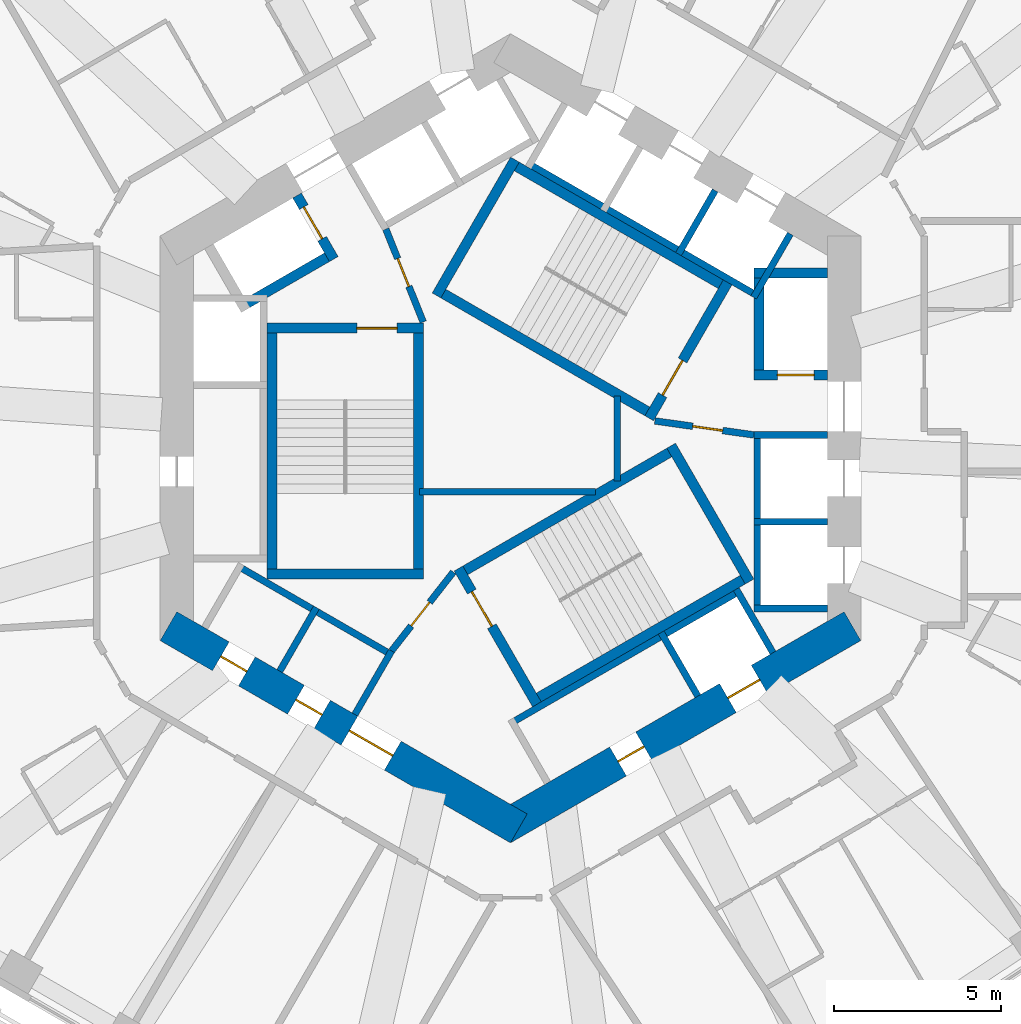
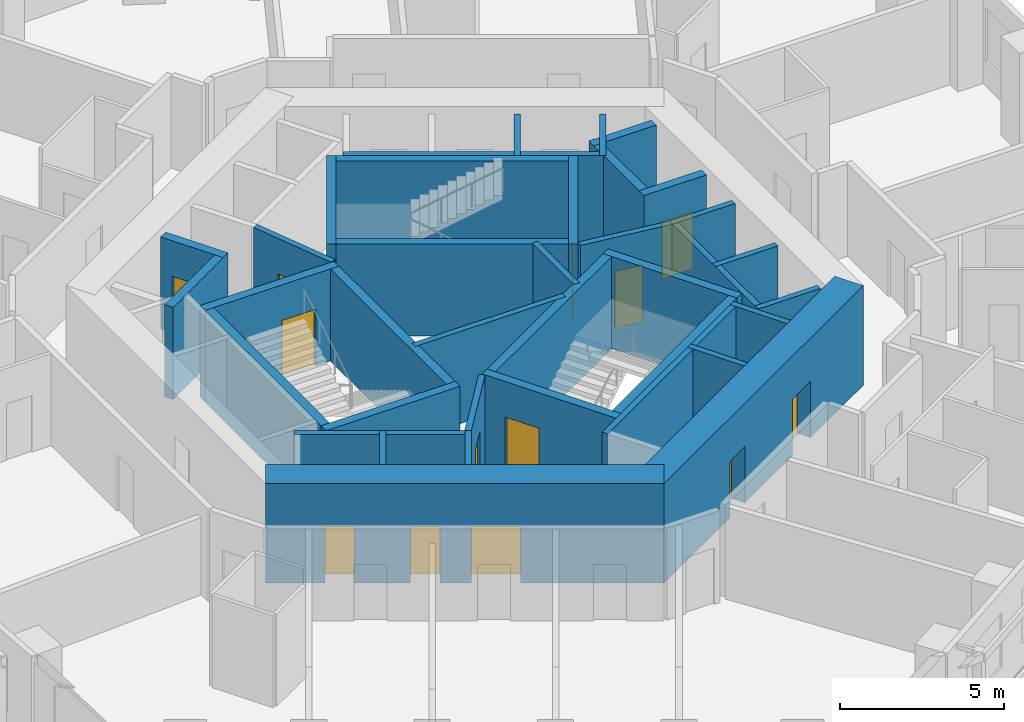
# One storey, part 5 of 11: 37 walls, 13 doors, 13 openings.
"""IFC4 building model written with IfcOpenShell, lengths in metres."""

from ifc_helpers import new_model, si_unit, direction, frame, frame_2d, origin, place, context, subcontext, project, spatial, rectangle, extrude, material, layer, layer_set, type_object, element, fill, save


model = new_model("IFC4")

# Units and contexts
model_context = context("Model", 3, precision=1e-05, world=origin(), true_north=direction((0.0, 1.0)))
body_context = subcontext(model_context, "Body", "Model", "MODEL_VIEW")
ifc_project = project(units=[si_unit("LENGTHUNIT", "METRE"), si_unit("AREAUNIT", "SQUARE_METRE"), si_unit("VOLUMEUNIT", "CUBIC_METRE"), si_unit("PLANEANGLEUNIT", "RADIAN"), si_unit("MASSUNIT", "GRAM", prefix="KILO")], contexts=[model_context])

# Site, building, storey
site_placement = place(None, origin())
site = spatial("IfcSite", under=ifc_project, at=site_placement, CompositionType="ELEMENT")
building_placement = place(site_placement, origin())
building = spatial("IfcBuilding", under=site, at=building_placement, Name="Vanh Sen Convention Tower", CompositionType="ELEMENT")
storey_placement = place(building_placement, frame((0.0, 0.0, 128.10009765625)))
storey = spatial("IfcBuildingStorey", under=building, at=storey_placement, Name="L31", CompositionType="ELEMENT", Elevation=128.10009765625)

# Wall, openings, doors
ifc_material_1 = material(Name="Concrete C80/95", Category="concrete")
ifc_layer_1 = layer(ifc_material_1, 1.0)
ifc_layer_set_1 = layer_set([ifc_layer_1], Name="Concrete C80/95")
wall_type_1 = type_object("IfcWallType", Name="Core outer wall 1000 C80/95", PredefinedType="SHEAR", material=ifc_layer_set_1)
wall_1_placement = place(storey_placement, frame((-10.25, -5.629150390625, 0.0), z_axis=(0.0, 0.0, 1.0), x_axis=(0.866022616891, -0.50000482701, 0.0)))
wall_1 = element("IfcWall", 1, at=wall_1_placement, inside=storey, type_object=wall_type_1, Name="Core wall face SW L31", PredefinedType="SHEAR", context=body_context, shape_type="SweptSolid", body=[
    extrude(rectangle(XDim=12.12451171875, YDim=1.0, at=frame_2d((6.062255859375, 0.0))), origin(), (0.0, 0.0, 1.0), 3.699951171875),
])
opening_1_placement = place(wall_1_placement, frame((6.26220703125, 0.0, 0.0)))
opening_1 = element("IfcOpeningElement", 2, at=opening_1_placement, cuts=wall_1, Name="Opening D30003", PredefinedType="OPENING", context=body_context, shape_type="SweptSolid", body=[
    extrude(rectangle(XDim=1.5, YDim=2.10009765625, at=frame_2d((0.75, 1.050048828125))), frame((0.0, 0.510009765625, 0.0), z_axis=(0.0, -1.0, 0.0), x_axis=(1.0, 0.0, 0.0)), (0.0, 0.0, 1.0), 1.02001953125),
])
opening_2_placement = place(wall_1_placement, frame((1.812255859375, 0.0, 0.0)))
opening_2 = element("IfcOpeningElement", 3, at=opening_2_placement, cuts=wall_1, Name="Opening D30011", PredefinedType="OPENING", context=body_context, shape_type="SweptSolid", body=[
    extrude(rectangle(XDim=0.89990234375, YDim=2.10009765625, at=frame_2d((0.449951171875, 1.050048828125))), frame((0.0, 0.510009765625, 0.0), z_axis=(0.0, -1.0, 0.0), x_axis=(1.0, 0.0, 0.0)), (0.0, 0.0, 1.0), 1.02001953125),
])
opening_3_placement = place(wall_1_placement, frame((4.412109375, 0.0, 0.0)))
opening_3 = element("IfcOpeningElement", 4, at=opening_3_placement, cuts=wall_1, Name="Opening D30012", PredefinedType="OPENING", context=body_context, shape_type="SweptSolid", body=[
    extrude(rectangle(XDim=0.89990234375, YDim=2.10009765625, at=frame_2d((0.449951171875, 1.050048828125))), frame((0.0, 0.510009765625, 0.0), z_axis=(0.0, -1.0, 0.0), x_axis=(1.0, 0.0, 0.0)), (0.0, 0.0, 1.0), 1.02001953125),
])
ifc_material_2 = material(Name="Steel S355", Category="steel")
door_type_1 = type_object("IfcDoorType", Name="Plant door 900", OperationType="SINGLE_SWING_LEFT", PredefinedType="DOOR", material=ifc_material_2)
door_1_placement = place(opening_2_placement, origin())
door_1 = element("IfcDoor", 5, at=door_1_placement, inside=storey, type_object=door_type_1, Name="Plant door D30011", OperationType="SINGLE_SWING_LEFT", OverallHeight=2.10009765625, OverallWidth=0.89990234375, PredefinedType="DOOR", context=body_context, shape_type="SweptSolid", body=[
    extrude(rectangle(XDim=0.89990234375, YDim=2.10009765625, at=frame_2d((0.449951171875, 1.050048828125))), frame((0.0, 0.02490234375, 0.0), z_axis=(0.0, -1.0, 0.0), x_axis=(1.0, 0.0, 0.0)), (0.0, 0.0, 1.0), 0.050048828125),
])
fill(opening_2, door_1)
door_2_placement = place(opening_3_placement, origin())
door_2 = element("IfcDoor", 6, at=door_2_placement, inside=storey, type_object=door_type_1, Name="Plant door D30012", OperationType="SINGLE_SWING_LEFT", OverallHeight=2.10009765625, OverallWidth=0.89990234375, PredefinedType="DOOR", context=body_context, shape_type="SweptSolid", body=[
    extrude(rectangle(XDim=0.89990234375, YDim=2.10009765625, at=frame_2d((0.449951171875, 1.050048828125))), frame((0.0, 0.02490234375, 0.0), z_axis=(0.0, -1.0, 0.0), x_axis=(1.0, 0.0, 0.0)), (0.0, 0.0, 1.0), 0.050048828125),
])
fill(opening_3, door_2)
door_type_2 = type_object("IfcDoorType", Name="Stair lobby door 1500", OperationType="DOUBLE_DOOR_SINGLE_SWING", PredefinedType="DOOR", material=ifc_material_2)
door_3_placement = place(opening_1_placement, origin())
door_3 = element("IfcDoor", 7, at=door_3_placement, inside=storey, type_object=door_type_2, Name="Stair lobby door D30003", OperationType="DOUBLE_DOOR_SINGLE_SWING", OverallHeight=2.10009765625, OverallWidth=1.5, PredefinedType="DOOR", context=body_context, shape_type="SweptSolid", body=[
    extrude(rectangle(XDim=1.5, YDim=2.10009765625, at=frame_2d((0.75, 1.050048828125))), frame((0.0, 0.02490234375, 0.0), z_axis=(0.0, -1.0, 0.0), x_axis=(1.0, 0.0, 0.0)), (0.0, 0.0, 1.0), 0.050048828125),
])
fill(opening_1, door_3)

wall_2_placement = place(storey_placement, frame((-0.25, -11.69140625, 0.0), z_axis=(0.0, 0.0, 1.0), x_axis=(0.866022616891, 0.50000482701, 0.0)))
wall_2 = element("IfcWall", 8, at=wall_2_placement, inside=storey, type_object=wall_type_1, Name="Core wall face SE L31", PredefinedType="SHEAR", context=body_context, shape_type="SweptSolid", body=[
    extrude(rectangle(XDim=12.12451171875, YDim=1.0, at=frame_2d((6.062255859375, 0.0))), origin(), (0.0, 0.0, 1.0), 3.699951171875),
])
opening_4_placement = place(wall_2_placement, frame((4.01220703125, 0.0, 0.0)))
opening_4 = element("IfcOpeningElement", 9, at=opening_4_placement, cuts=wall_2, Name="Opening D30013", PredefinedType="OPENING", context=body_context, shape_type="SweptSolid", body=[
    extrude(rectangle(XDim=0.89990234375, YDim=2.10009765625, at=frame_2d((0.449951171875, 1.050048828125))), frame((0.0, 0.510009765625, 0.0), z_axis=(0.0, -1.0, 0.0), x_axis=(1.0, 0.0, 0.0)), (0.0, 0.0, 1.0), 1.02001953125),
])
opening_5_placement = place(wall_2_placement, frame((7.812255859375, 0.0, 0.0)))
opening_5 = element("IfcOpeningElement", 10, at=opening_5_placement, cuts=wall_2, Name="Opening LD-SV1", PredefinedType="OPENING", context=body_context, shape_type="SweptSolid", body=[
    extrude(rectangle(XDim=1.10009765625, YDim=2.10009765625, at=frame_2d((0.550048828125, 1.050048828125))), frame((0.0, 0.510009765625, 0.0), z_axis=(0.0, -1.0, 0.0), x_axis=(1.0, 0.0, 0.0)), (0.0, 0.0, 1.0), 1.02001953125),
])
ifc_material_3 = material(Name="Stainless steel", Category="steel")
door_type_3 = type_object("IfcDoorType", Name="Lift landing door 1100", OperationType="DOUBLE_DOOR_SLIDING", PredefinedType="DOOR", material=ifc_material_3)
door_4_placement = place(opening_5_placement, origin())
door_4 = element("IfcDoor", 11, at=door_4_placement, inside=storey, type_object=door_type_3, Name="Lift SV1 landing door LD-SV1", OperationType="DOUBLE_DOOR_SLIDING", OverallHeight=2.10009765625, OverallWidth=1.10009765625, PredefinedType="DOOR", context=body_context, shape_type="SweptSolid", body=[
    extrude(rectangle(XDim=1.10009765625, YDim=2.10009765625, at=frame_2d((0.550048828125, 1.050048828125))), frame((0.0, 0.02490234375, 0.0), z_axis=(0.0, -1.0, 0.0), x_axis=(1.0, 0.0, 0.0)), (0.0, 0.0, 1.0), 0.050048828125),
])
fill(opening_5, door_4)
door_5_placement = place(opening_4_placement, origin())
door_5 = element("IfcDoor", 12, at=door_5_placement, inside=storey, type_object=door_type_1, Name="Plant door D30013", OperationType="SINGLE_SWING_LEFT", OverallHeight=2.10009765625, OverallWidth=0.89990234375, PredefinedType="DOOR", context=body_context, shape_type="SweptSolid", body=[
    extrude(rectangle(XDim=0.89990234375, YDim=2.10009765625, at=frame_2d((0.449951171875, 1.050048828125))), frame((0.0, 0.02490234375, 0.0), z_axis=(0.0, -1.0, 0.0), x_axis=(1.0, 0.0, 0.0)), (0.0, 0.0, 1.0), 0.050048828125),
])
fill(opening_4, door_5)

# Walls
ifc_material_4 = material(Name="Masonry blockwork", Category="masonry")
ifc_layer_2 = layer(ifc_material_4, 0.199951171875)
ifc_layer_set_2 = layer_set([ifc_layer_2], Name="Masonry blockwork")
wall_type_2 = type_object("IfcWallType", Name="Core partition 200", PredefinedType="PARTITIONING", material=ifc_layer_set_2)
wall_3_placement = place(storey_placement, frame((-2.719970703125, -1.60009765625, 0.0), z_axis=(0.0, 0.0, 1.0), x_axis=(1.0, 0.0, 0.0)))
element("IfcWall", 13, at=wall_3_placement, inside=storey, type_object=wall_type_2, Name="Core partition L31", PredefinedType="PARTITIONING", context=body_context, shape_type="SweptSolid", body=[
    extrude(rectangle(XDim=5.2685546875, YDim=0.199951171875, at=frame_2d((2.63427734375, 0.0))), origin(), (0.0, 0.0, 1.0), 3.419921875),
])
wall_4_placement = place(storey_placement, frame((3.199951171875, -1.274658203125, 0.0), z_axis=(0.0, 0.0, 1.0), x_axis=(0.0, 1.0, 0.0)))
element("IfcWall", 14, at=wall_4_placement, inside=storey, type_object=wall_type_2, Name="Core partition L31", PredefinedType="PARTITIONING", context=body_context, shape_type="SweptSolid", body=[
    extrude(rectangle(XDim=2.54931640625, YDim=0.199951171875, at=frame_2d((1.274658203125, 0.0))), origin(), (0.0, 0.0, 1.0), 3.419921875),
])

# Wall, opening, door
ifc_material_5 = material(Name="Concrete C60/75", Category="concrete")
ifc_layer_3 = layer(ifc_material_5, 0.300048828125)
ifc_layer_set_3 = layer_set([ifc_layer_3], Name="Concrete C60/75")
wall_type_3 = type_object("IfcWallType", Name="Fire-fighting lift shaft wall 300", PredefinedType="SHEAR", material=ifc_layer_set_3)
wall_5_placement = place(storey_placement, frame((7.300048828125, 1.89990234375, 0.0), z_axis=(0.0, 0.0, 1.0), x_axis=(1.0, 0.0, 0.0)))
wall_5 = element("IfcWall", 15, at=wall_5_placement, inside=storey, type_object=wall_type_3, Name="Fire-fighting lift shaft wall L31", PredefinedType="SHEAR", context=body_context, shape_type="SweptSolid", body=[
    extrude(rectangle(XDim=2.199951171875, YDim=0.300048828125, at=frame_2d((1.10009765625, 0.0))), origin(), (0.0, 0.0, 1.0), 3.419921875),
])
opening_6_placement = place(wall_5_placement, frame((0.699951171875, 0.0, 0.0)))
opening_6 = element("IfcOpeningElement", 16, at=opening_6_placement, cuts=wall_5, Name="Opening LD-FF1", PredefinedType="OPENING", context=body_context, shape_type="SweptSolid", body=[
    extrude(rectangle(XDim=1.10009765625, YDim=2.10009765625, at=frame_2d((0.550048828125, 1.050048828125))), frame((0.0, 0.159912109375, 0.0), z_axis=(0.0, -1.0, 0.0), x_axis=(1.0, 0.0, 0.0)), (0.0, 0.0, 1.0), 0.320068359375),
])
door_type_4 = type_object("IfcDoorType", Name="Fire-fighting lift landing door 1100", OperationType="DOUBLE_DOOR_SLIDING", PredefinedType="DOOR", material=ifc_material_3)
door_6_placement = place(opening_6_placement, origin())
door_6 = element("IfcDoor", 17, at=door_6_placement, inside=storey, type_object=door_type_4, Name="Lift FF1 landing door LD-FF1", OperationType="DOUBLE_DOOR_SLIDING", OverallHeight=2.10009765625, OverallWidth=1.10009765625, PredefinedType="DOOR", context=body_context, shape_type="SweptSolid", body=[
    extrude(rectangle(XDim=1.10009765625, YDim=2.10009765625, at=frame_2d((0.550048828125, 1.050048828125))), frame((0.0, 0.02490234375, 0.0), z_axis=(0.0, -1.0, 0.0), x_axis=(1.0, 0.0, 0.0)), (0.0, 0.0, 1.0), 0.050048828125),
])
fill(opening_6, door_6)

# Walls
wall_6_placement = place(storey_placement, frame((7.449951171875, 1.75, 0.0), z_axis=(0.0, 0.0, 1.0), x_axis=(0.0, 1.0, 0.0)))
element("IfcWall", 18, at=wall_6_placement, inside=storey, type_object=wall_type_3, Name="Fire-fighting lift shaft wall L31", PredefinedType="SHEAR", context=body_context, shape_type="SweptSolid", body=[
    extrude(rectangle(XDim=3.35009765625, YDim=0.300048828125, at=frame_2d((1.675048828125, 0.0))), origin(), (0.0, 0.0, 1.0), 3.419921875),
])
wall_7_placement = place(storey_placement, frame((7.300048828125, 4.949951171875, 0.0), z_axis=(0.0, 0.0, 1.0), x_axis=(1.0, 0.0, 0.0)))
element("IfcWall", 19, at=wall_7_placement, inside=storey, type_object=wall_type_3, Name="Fire-fighting lift shaft wall L31", PredefinedType="SHEAR", context=body_context, shape_type="SweptSolid", body=[
    extrude(rectangle(XDim=2.199951171875, YDim=0.300048828125, at=frame_2d((1.10009765625, 0.0))), origin(), (0.0, 0.0, 1.0), 3.419921875),
])

# Wall, opening, door
wall_8_placement = place(storey_placement, frame((-5.29541015625, 5.3720703125, 0.0), z_axis=(0.0, 0.0, 1.0), x_axis=(-0.500077893725, 0.86598042715, 0.0)))
wall_8 = element("IfcWall", 20, at=wall_8_placement, inside=storey, type_object=wall_type_3, Name="Fire-fighting lift shaft wall L31", PredefinedType="SHEAR", context=body_context, shape_type="SweptSolid", body=[
    extrude(rectangle(XDim=2.199951171875, YDim=0.300048828125, at=frame_2d((1.10009765625, 0.0))), origin(), (0.0, 0.0, 1.0), 3.419921875),
])
opening_7_placement = place(wall_8_placement, frame((0.699951171875, 0.0, 0.0)))
opening_7 = element("IfcOpeningElement", 21, at=opening_7_placement, cuts=wall_8, Name="Opening LD-FF2", PredefinedType="OPENING", context=body_context, shape_type="SweptSolid", body=[
    extrude(rectangle(XDim=1.10009765625, YDim=2.10009765625, at=frame_2d((0.550048828125, 1.050048828125))), frame((0.0, 0.159912109375, 0.0), z_axis=(0.0, -1.0, 0.0), x_axis=(1.0, 0.0, 0.0)), (0.0, 0.0, 1.0), 0.320068359375),
])
door_7_placement = place(opening_7_placement, origin())
door_7 = element("IfcDoor", 22, at=door_7_placement, inside=storey, type_object=door_type_4, Name="Lift FF2 landing door LD-FF2", OperationType="DOUBLE_DOOR_SLIDING", OverallHeight=2.10009765625, OverallWidth=1.10009765625, PredefinedType="DOOR", context=body_context, shape_type="SweptSolid", body=[
    extrude(rectangle(XDim=1.10009765625, YDim=2.10009765625, at=frame_2d((0.550048828125, 1.050048828125))), frame((0.0, 0.02490234375, 0.0), z_axis=(0.0, -1.0, 0.0), x_axis=(1.0, 0.0, 0.0)), (0.0, 0.0, 1.0), 0.050048828125),
])
fill(opening_7, door_7)

# Walls
wall_9_placement = place(storey_placement, frame((-5.240478515625, 5.576904296875, 0.0), z_axis=(0.0, 0.0, 1.0), x_axis=(-0.866014461049, -0.500018952895, 0.0)))
element("IfcWall", 23, at=wall_9_placement, inside=storey, type_object=wall_type_3, Name="Fire-fighting lift shaft wall L31", PredefinedType="SHEAR", context=body_context, shape_type="SweptSolid", body=[
    extrude(rectangle(XDim=3.349853515625, YDim=0.300048828125, at=frame_2d((1.6748046875, 0.0))), origin(), (0.0, 0.0, 1.0), 3.419921875),
])
ifc_material_6 = material(Name="Concrete C40/50", Category="concrete")
ifc_layer_4 = layer(ifc_material_6, 0.199951171875)
ifc_layer_set_4 = layer_set([ifc_layer_4], Name="Concrete C40/50")
wall_type_4 = type_object("IfcWallType", Name="Lift shaft wall 200", PredefinedType="PARTITIONING", material=ifc_layer_set_4)
wall_10_placement = place(storey_placement, frame((7.39990234375, -5.199951171875, 0.0), z_axis=(0.0, 0.0, 1.0), x_axis=(0.0, 1.0, 0.0)))
element("IfcWall", 24, at=wall_10_placement, inside=storey, type_object=wall_type_4, Name="Lift shaft wall L31", PredefinedType="PARTITIONING", context=body_context, shape_type="SweptSolid", body=[
    extrude(rectangle(XDim=5.39990234375, YDim=0.199951171875, at=frame_2d((2.699951171875, 0.0))), origin(), (0.0, 0.0, 1.0), 3.419921875),
])
for number, where, z_axis, x_axis, name in (
    (25, (7.300048828125, -5.10009765625, 0.0), (0.0, 0.0, 1.0), (1.0, 0.0, 0.0), "Lift shaft wall L31"),
    (26, (7.300048828125, -2.5, 0.0), (0.0, 0.0, 1.0), (1.0, 0.0, 0.0), "Lift shaft wall L31"),
    (27, (7.300048828125, 0.10009765625, 0.0), (0.0, 0.0, 1.0), (1.0, 0.0, 0.0), "Lift shaft wall L31"),
):
    element("IfcWall", number, at=place(storey_placement, frame(where, z_axis=z_axis, x_axis=x_axis)), inside=storey, type_object=wall_type_4, Name=name, PredefinedType="PARTITIONING", context=body_context, shape_type="SweptSolid", body=[
        extrude(rectangle(XDim=2.199951171875, YDim=0.199951171875, at=frame_2d((1.10009765625, 0.0))), origin(), (0.0, 0.0, 1.0), 3.419921875),
    ])
wall_11_placement = place(storey_placement, frame((7.423828125, 4.258544921875, 0.0), z_axis=(0.0, 0.0, 1.0), x_axis=(-0.866026010844, 0.49999894854, 0.0)))
element("IfcWall", 28, at=wall_11_placement, inside=storey, type_object=wall_type_4, Name="Lift shaft wall L31", PredefinedType="PARTITIONING", context=body_context, shape_type="SweptSolid", body=[
    extrude(rectangle(XDim=8.0, YDim=0.199951171875, at=frame_2d((4.0, 0.0))), origin(), (0.0, 0.0, 1.0), 3.419921875),
])
for number, where, z_axis, x_axis, name in (
    (29, (7.287353515625, 4.221923828125, 0.0), (0.0, 0.0, 1.0), (0.499946605688, 0.86605622881, 0.0), "Lift shaft wall L31"),
    (30, (5.03564453125, 5.52197265625, 0.0), (0.0, 0.0, 1.0), (0.499946605688, 0.86605622881, 0.0), "Lift shaft wall L31"),
):
    element("IfcWall", number, at=place(storey_placement, frame(where, z_axis=z_axis, x_axis=x_axis)), inside=storey, type_object=wall_type_4, Name=name, PredefinedType="PARTITIONING", context=body_context, shape_type="SweptSolid", body=[
        extrude(rectangle(XDim=2.199951171875, YDim=0.199951171875, at=frame_2d((1.10009765625, 0.0))), origin(), (0.0, 0.0, 1.0), 3.419921875),
    ])
wall_12_placement = place(storey_placement, frame((-8.203369140625, -3.80859375, 0.0), z_axis=(0.0, 0.0, 1.0), x_axis=(0.866028230842, -0.499995103361, 0.0)))
element("IfcWall", 31, at=wall_12_placement, inside=storey, type_object=wall_type_4, Name="Lift shaft wall L31", PredefinedType="PARTITIONING", context=body_context, shape_type="SweptSolid", body=[
    extrude(rectangle(XDim=5.39990234375, YDim=0.199951171875, at=frame_2d((2.699951171875, 0.0))), origin(), (0.0, 0.0, 1.0), 3.419921875),
])
wall_13_placement = place(storey_placement, frame((-5.815185546875, -5.072021484375, 0.0), z_axis=(0.0, 0.0, 1.0), x_axis=(-0.499946605688, -0.86605622881, 0.0)))
element("IfcWall", 32, at=wall_13_placement, inside=storey, type_object=wall_type_4, Name="Lift shaft wall L31", PredefinedType="PARTITIONING", context=body_context, shape_type="SweptSolid", body=[
    extrude(rectangle(XDim=2.199951171875, YDim=0.199951171875, at=frame_2d((1.10009765625, 0.0))), origin(), (0.0, 0.0, 1.0), 3.419921875),
])
wall_14_placement = place(storey_placement, frame((-3.5634765625, -6.3720703125, 0.0), z_axis=(0.0, 0.0, 1.0), x_axis=(-0.499994660107, -0.866028486751, 0.0)))
element("IfcWall", 33, at=wall_14_placement, inside=storey, type_object=wall_type_4, Name="Lift shaft wall L31", PredefinedType="PARTITIONING", context=body_context, shape_type="SweptSolid", body=[
    extrude(rectangle(XDim=2.19970703125, YDim=0.199951171875, at=frame_2d((1.099853515625, 0.0))), origin(), (0.0, 0.0, 1.0), 3.419921875),
])
wall_15_placement = place(storey_placement, frame((-0.02392578125, -8.55859375, 0.0), z_axis=(0.0, 0.0, 1.0), x_axis=(0.866026010844, 0.49999894854, 0.0)))
element("IfcWall", 34, at=wall_15_placement, inside=storey, type_object=wall_type_4, Name="Lift shaft wall L31", PredefinedType="PARTITIONING", context=body_context, shape_type="SweptSolid", body=[
    extrude(rectangle(XDim=8.0, YDim=0.199951171875, at=frame_2d((4.0, 0.0))), origin(), (0.0, 0.0, 1.0), 3.419921875),
])
for number, where, z_axis, x_axis, name in (
    (35, (4.51611328125, -5.822021484375, 0.0), (0.0, 0.0, 1.0), (0.499946605688, -0.86605622881, 0.0), "Lift shaft wall L31"),
    (36, (6.767578125, -4.52197265625, 0.0), (0.0, 0.0, 1.0), (0.50002983664, -0.866008176907, 0.0), "Lift shaft wall L31"),
):
    element("IfcWall", number, at=place(storey_placement, frame(where, z_axis=z_axis, x_axis=x_axis)), inside=storey, type_object=wall_type_4, Name=name, PredefinedType="PARTITIONING", context=body_context, shape_type="SweptSolid", body=[
        extrude(rectangle(XDim=2.199951171875, YDim=0.199951171875, at=frame_2d((1.10009765625, 0.0))), origin(), (0.0, 0.0, 1.0), 3.419921875),
    ])

# Wall, opening, door
ifc_layer_5 = layer(ifc_material_6, 0.199951171875)
ifc_layer_set_5 = layer_set([ifc_layer_5], Name="Concrete C40/50")
wall_type_5 = type_object("IfcWallType", Name="Stair lobby wall 200", PredefinedType="PARTITIONING", material=ifc_layer_set_5)
wall_16_placement = place(storey_placement, frame((4.327392578125, 0.52099609375, 0.0), z_axis=(0.0, 0.0, 1.0), x_axis=(0.990124376366, -0.14019172346, 0.0)))
wall_16 = element("IfcWall", 37, at=wall_16_placement, inside=storey, type_object=wall_type_5, Name="Stair lobby wall L31", PredefinedType="PARTITIONING", context=body_context, shape_type="SweptSolid", body=[
    extrude(rectangle(XDim=3.002197265625, YDim=0.199951171875, at=frame_2d((1.5009765625, 0.0))), origin(), (0.0, 0.0, 1.0), 3.419921875),
])
opening_8_placement = place(wall_16_placement, frame((1.14990234375, 0.0, 0.0)))
opening_8 = element("IfcOpeningElement", 38, at=opening_8_placement, cuts=wall_16, Name="Opening D30007", PredefinedType="OPENING", context=body_context, shape_type="SweptSolid", body=[
    extrude(rectangle(XDim=0.89990234375, YDim=2.10009765625, at=frame_2d((0.449951171875, 1.050048828125))), frame((0.0, 0.10986328125, 0.0), z_axis=(0.0, -1.0, 0.0), x_axis=(1.0, 0.0, 0.0)), (0.0, 0.0, 1.0), 0.219970703125),
])
door_8_placement = place(opening_8_placement, origin())
door_8 = element("IfcDoor", 39, at=door_8_placement, inside=storey, type_object=door_type_1, Name="Plant door D30007", OperationType="SINGLE_SWING_LEFT", OverallHeight=2.10009765625, OverallWidth=0.89990234375, PredefinedType="DOOR", context=body_context, shape_type="SweptSolid", body=[
    extrude(rectangle(XDim=0.89990234375, YDim=2.10009765625, at=frame_2d((0.449951171875, 1.050048828125))), frame((0.0, 0.02490234375, 0.0), z_axis=(0.0, -1.0, 0.0), x_axis=(1.0, 0.0, 0.0)), (0.0, 0.0, 1.0), 0.050048828125),
])
fill(opening_8, door_8)

wall_17_placement = place(storey_placement, frame((-2.614990234375, 3.487060546875, 0.0), z_axis=(0.0, 0.0, 1.0), x_axis=(-0.373576831041, 0.92759924068, 0.0)))
wall_17 = element("IfcWall", 40, at=wall_17_placement, inside=storey, type_object=wall_type_5, Name="Stair lobby wall L31", PredefinedType="PARTITIONING", context=body_context, shape_type="SweptSolid", body=[
    extrude(rectangle(XDim=3.002197265625, YDim=0.199951171875, at=frame_2d((1.5009765625, 0.0))), origin(), (0.0, 0.0, 1.0), 3.419921875),
])
opening_9_placement = place(wall_17_placement, frame((1.14990234375, 0.0, 0.0)))
opening_9 = element("IfcOpeningElement", 41, at=opening_9_placement, cuts=wall_17, Name="Opening D30008", PredefinedType="OPENING", context=body_context, shape_type="SweptSolid", body=[
    extrude(rectangle(XDim=0.89990234375, YDim=2.10009765625, at=frame_2d((0.449951171875, 1.050048828125))), frame((0.0, 0.10986328125, 0.0), z_axis=(0.0, -1.0, 0.0), x_axis=(1.0, 0.0, 0.0)), (0.0, 0.0, 1.0), 0.219970703125),
])
door_9_placement = place(opening_9_placement, origin())
door_9 = element("IfcDoor", 42, at=door_9_placement, inside=storey, type_object=door_type_1, Name="Plant door D30008", OperationType="SINGLE_SWING_LEFT", OverallHeight=2.10009765625, OverallWidth=0.89990234375, PredefinedType="DOOR", context=body_context, shape_type="SweptSolid", body=[
    extrude(rectangle(XDim=0.89990234375, YDim=2.10009765625, at=frame_2d((0.449951171875, 1.050048828125))), frame((0.0, 0.02490234375, 0.0), z_axis=(0.0, -1.0, 0.0), x_axis=(1.0, 0.0, 0.0)), (0.0, 0.0, 1.0), 0.050048828125),
])
fill(opening_9, door_9)

wall_18_placement = place(storey_placement, frame((-1.71240234375, -4.00830078125, 0.0), z_axis=(0.0, 0.0, 1.0), x_axis=(-0.616549420702, -0.787316208287, 0.0)))
wall_18 = element("IfcWall", 43, at=wall_18_placement, inside=storey, type_object=wall_type_5, Name="Stair lobby wall L31", PredefinedType="PARTITIONING", context=body_context, shape_type="SweptSolid", body=[
    extrude(rectangle(XDim=3.002197265625, YDim=0.199951171875, at=frame_2d((1.5009765625, 0.0))), origin(), (0.0, 0.0, 1.0), 3.419921875),
])
opening_10_placement = place(wall_18_placement, frame((1.14990234375, 0.0, 0.0)))
opening_10 = element("IfcOpeningElement", 44, at=opening_10_placement, cuts=wall_18, Name="Opening D30009", PredefinedType="OPENING", context=body_context, shape_type="SweptSolid", body=[
    extrude(rectangle(XDim=0.89990234375, YDim=2.10009765625, at=frame_2d((0.449951171875, 1.050048828125))), frame((0.0, 0.10986328125, 0.0), z_axis=(0.0, -1.0, 0.0), x_axis=(1.0, 0.0, 0.0)), (0.0, 0.0, 1.0), 0.219970703125),
])
door_10_placement = place(opening_10_placement, origin())
door_10 = element("IfcDoor", 45, at=door_10_placement, inside=storey, type_object=door_type_1, Name="Plant door D30009", OperationType="SINGLE_SWING_LEFT", OverallHeight=2.10009765625, OverallWidth=0.89990234375, PredefinedType="DOOR", context=body_context, shape_type="SweptSolid", body=[
    extrude(rectangle(XDim=0.89990234375, YDim=2.10009765625, at=frame_2d((0.449951171875, 1.050048828125))), frame((0.0, 0.02490234375, 0.0), z_axis=(0.0, -1.0, 0.0), x_axis=(1.0, 0.0, 0.0)), (0.0, 0.0, 1.0), 0.050048828125),
])
fill(opening_10, door_10)

ifc_layer_6 = layer(ifc_material_5, 0.300048828125)
ifc_layer_set_6 = layer_set([ifc_layer_6], Name="Concrete C60/75")
wall_type_6 = type_object("IfcWallType", Name="Stair wall 300", PredefinedType="SHEAR", material=ifc_layer_set_6)
wall_19_placement = place(storey_placement, frame((4.157958984375, 0.601806640625, 0.0), z_axis=(0.0, 0.0, 1.0), x_axis=(0.499977259774, 0.866038532462, 0.0)))
wall_19 = element("IfcWall", 46, at=wall_19_placement, inside=storey, type_object=wall_type_6, Name="Stair wall L31", PredefinedType="SHEAR", context=body_context, shape_type="SweptSolid", body=[
    extrude(rectangle(XDim=4.699951171875, YDim=0.300048828125, at=frame_2d((2.35009765625, 0.0))), origin(), (0.0, 0.0, 1.0), 3.419921875),
])
opening_11_placement = place(wall_19_placement, frame((0.800048828125, 0.0, 0.0)))
opening_11 = element("IfcOpeningElement", 47, at=opening_11_placement, cuts=wall_19, Name="Opening D30004", PredefinedType="OPENING", context=body_context, shape_type="SweptSolid", body=[
    extrude(rectangle(XDim=1.199951171875, YDim=2.10009765625, at=frame_2d((0.60009765625, 1.050048828125))), frame((0.0, 0.159912109375, 0.0), z_axis=(0.0, -1.0, 0.0), x_axis=(1.0, 0.0, 0.0)), (0.0, 0.0, 1.0), 0.320068359375),
])
door_type_5 = type_object("IfcDoorType", Name="Stair door 1200", OperationType="SINGLE_SWING_RIGHT", PredefinedType="DOOR", material=ifc_material_2)
door_11_placement = place(opening_11_placement, origin())
door_11 = element("IfcDoor", 48, at=door_11_placement, inside=storey, type_object=door_type_5, Name="Stair ST1 door D30004", OperationType="SINGLE_SWING_RIGHT", OverallHeight=2.10009765625, OverallWidth=1.199951171875, PredefinedType="DOOR", context=body_context, shape_type="SweptSolid", body=[
    extrude(rectangle(XDim=1.199951171875, YDim=2.10009765625, at=frame_2d((0.60009765625, 1.050048828125))), frame((0.0, 0.02490234375, 0.0), z_axis=(0.0, -1.0, 0.0), x_axis=(1.0, 0.0, 0.0)), (0.0, 0.0, 1.0), 0.050048828125),
])
fill(opening_11, door_11)

# Walls
wall_20_placement = place(storey_placement, frame((-2.216064453125, 4.28173828125, 0.0), z_axis=(0.0, 0.0, 1.0), x_axis=(0.499977259774, 0.866038532462, 0.0)))
element("IfcWall", 49, at=wall_20_placement, inside=storey, type_object=wall_type_6, Name="Stair wall L31", PredefinedType="SHEAR", context=body_context, shape_type="SweptSolid", body=[
    extrude(rectangle(XDim=4.699951171875, YDim=0.300048828125, at=frame_2d((2.35009765625, 0.0))), origin(), (0.0, 0.0, 1.0), 3.419921875),
])
for number, where, z_axis, x_axis, name in (
    (50, (4.10302734375, 0.806640625, 0.0), (0.0, 0.0, 1.0), (-0.866027801685, 0.499995846692, 0.0), "Stair wall L31"),
    (51, (6.302978515625, 4.6171875, 0.0), (0.0, 0.0, 1.0), (-0.866027801685, 0.499995846692, 0.0), "Stair wall L31"),
):
    element("IfcWall", number, at=place(storey_placement, frame(where, z_axis=z_axis, x_axis=x_axis)), inside=storey, type_object=wall_type_6, Name=name, PredefinedType="SHEAR", context=body_context, shape_type="SweptSolid", body=[
        extrude(rectangle(XDim=7.06005859375, YDim=0.300048828125, at=frame_2d((3.530029296875, 0.0))), origin(), (0.0, 0.0, 1.0), 3.419921875),
    ])

# Wall, opening, door
wall_21_placement = place(storey_placement, frame((-2.60009765625, 3.300048828125, 0.0), z_axis=(0.0, 0.0, 1.0), x_axis=(-1.0, 0.0, 0.0)))
wall_21 = element("IfcWall", 52, at=wall_21_placement, inside=storey, type_object=wall_type_6, Name="Stair wall L31", PredefinedType="SHEAR", context=body_context, shape_type="SweptSolid", body=[
    extrude(rectangle(XDim=4.699951171875, YDim=0.300048828125, at=frame_2d((2.35009765625, 0.0))), origin(), (0.0, 0.0, 1.0), 3.419921875),
])
opening_12_placement = place(wall_21_placement, frame((0.800048828125, 0.0, 0.0)))
opening_12 = element("IfcOpeningElement", 53, at=opening_12_placement, cuts=wall_21, Name="Opening D30005", PredefinedType="OPENING", context=body_context, shape_type="SweptSolid", body=[
    extrude(rectangle(XDim=1.199951171875, YDim=2.10009765625, at=frame_2d((0.60009765625, 1.050048828125))), frame((0.0, 0.159912109375, 0.0), z_axis=(0.0, -1.0, 0.0), x_axis=(1.0, 0.0, 0.0)), (0.0, 0.0, 1.0), 0.320068359375),
])
door_12_placement = place(opening_12_placement, origin())
door_12 = element("IfcDoor", 54, at=door_12_placement, inside=storey, type_object=door_type_5, Name="Stair ST2 door D30005", OperationType="SINGLE_SWING_RIGHT", OverallHeight=2.10009765625, OverallWidth=1.199951171875, PredefinedType="DOOR", context=body_context, shape_type="SweptSolid", body=[
    extrude(rectangle(XDim=1.199951171875, YDim=2.10009765625, at=frame_2d((0.60009765625, 1.050048828125))), frame((0.0, 0.02490234375, 0.0), z_axis=(0.0, -1.0, 0.0), x_axis=(1.0, 0.0, 0.0)), (0.0, 0.0, 1.0), 0.050048828125),
])
fill(opening_12, door_12)

# Walls
wall_22_placement = place(storey_placement, frame((-2.60009765625, -4.06005859375, 0.0), z_axis=(0.0, 0.0, 1.0), x_axis=(-1.0, 0.0, 0.0)))
element("IfcWall", 55, at=wall_22_placement, inside=storey, type_object=wall_type_6, Name="Stair wall L31", PredefinedType="SHEAR", context=body_context, shape_type="SweptSolid", body=[
    extrude(rectangle(XDim=4.699951171875, YDim=0.300048828125, at=frame_2d((2.35009765625, 0.0))), origin(), (0.0, 0.0, 1.0), 3.419921875),
])
for number, where, z_axis, x_axis, name in (
    (56, (-2.75, 3.14990234375, 0.0), (0.0, 0.0, 1.0), (0.0, -1.0, 0.0), "Stair wall L31"),
    (57, (-7.14990234375, 3.14990234375, 0.0), (0.0, 0.0, 1.0), (0.0, -1.0, 0.0), "Stair wall L31"),
):
    element("IfcWall", number, at=place(storey_placement, frame(where, z_axis=z_axis, x_axis=x_axis)), inside=storey, type_object=wall_type_6, Name=name, PredefinedType="SHEAR", context=body_context, shape_type="SweptSolid", body=[
        extrude(rectangle(XDim=7.059814453125, YDim=0.300048828125, at=frame_2d((3.52978515625, 0.0))), origin(), (0.0, 0.0, 1.0), 3.419921875),
    ])

# Wall, opening, door
wall_23_placement = place(storey_placement, frame((-1.557861328125, -3.901611328125, 0.0), z_axis=(0.0, 0.0, 1.0), x_axis=(0.499977259774, -0.866038532462, 0.0)))
wall_23 = element("IfcWall", 58, at=wall_23_placement, inside=storey, type_object=wall_type_6, Name="Stair wall L31", PredefinedType="SHEAR", context=body_context, shape_type="SweptSolid", body=[
    extrude(rectangle(XDim=4.699951171875, YDim=0.300048828125, at=frame_2d((2.35009765625, 0.0))), origin(), (0.0, 0.0, 1.0), 3.419921875),
])
opening_13_placement = place(wall_23_placement, frame((0.800048828125, 0.0, 0.0)))
opening_13 = element("IfcOpeningElement", 59, at=opening_13_placement, cuts=wall_23, Name="Opening D30006", PredefinedType="OPENING", context=body_context, shape_type="SweptSolid", body=[
    extrude(rectangle(XDim=1.199951171875, YDim=2.10009765625, at=frame_2d((0.60009765625, 1.050048828125))), frame((0.0, 0.159912109375, 0.0), z_axis=(0.0, -1.0, 0.0), x_axis=(1.0, 0.0, 0.0)), (0.0, 0.0, 1.0), 0.320068359375),
])
door_13_placement = place(opening_13_placement, origin())
door_13 = element("IfcDoor", 60, at=door_13_placement, inside=storey, type_object=door_type_5, Name="Stair ST3 door D30006", OperationType="SINGLE_SWING_RIGHT", OverallHeight=2.10009765625, OverallWidth=1.199951171875, PredefinedType="DOOR", context=body_context, shape_type="SweptSolid", body=[
    extrude(rectangle(XDim=1.199951171875, YDim=2.10009765625, at=frame_2d((0.60009765625, 1.050048828125))), frame((0.0, 0.02490234375, 0.0), z_axis=(0.0, -1.0, 0.0), x_axis=(1.0, 0.0, 0.0)), (0.0, 0.0, 1.0), 0.050048828125),
])
fill(opening_13, door_13)

# Walls
wall_24_placement = place(storey_placement, frame((4.816162109375, -0.2216796875, 0.0), z_axis=(0.0, 0.0, 1.0), x_axis=(0.499977259774, -0.866038532462, 0.0)))
element("IfcWall", 61, at=wall_24_placement, inside=storey, type_object=wall_type_6, Name="Stair wall L31", PredefinedType="SHEAR", context=body_context, shape_type="SweptSolid", body=[
    extrude(rectangle(XDim=4.699951171875, YDim=0.300048828125, at=frame_2d((2.35009765625, 0.0))), origin(), (0.0, 0.0, 1.0), 3.419921875),
])
for number, where, z_axis, x_axis, name in (
    (62, (-1.35302734375, -3.95654296875, 0.0), (0.0, 0.0, 1.0), (0.866027801685, 0.499995846692, 0.0), "Stair wall L31"),
    (63, (0.846923828125, -7.76708984375, 0.0), (0.0, 0.0, 1.0), (0.866027801685, 0.499995846692, 0.0), "Stair wall L31"),
):
    element("IfcWall", number, at=place(storey_placement, frame(where, z_axis=z_axis, x_axis=x_axis)), inside=storey, type_object=wall_type_6, Name=name, PredefinedType="SHEAR", context=body_context, shape_type="SweptSolid", body=[
        extrude(rectangle(XDim=7.06005859375, YDim=0.300048828125, at=frame_2d((3.530029296875, 0.0))), origin(), (0.0, 0.0, 1.0), 3.419921875),
    ])

save(model, "model.ifc")
